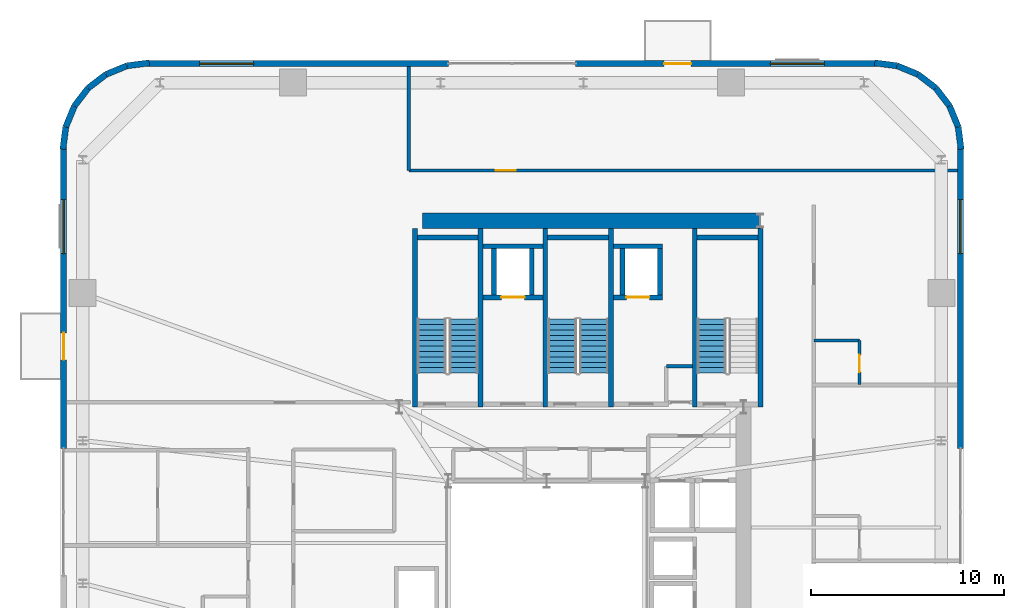
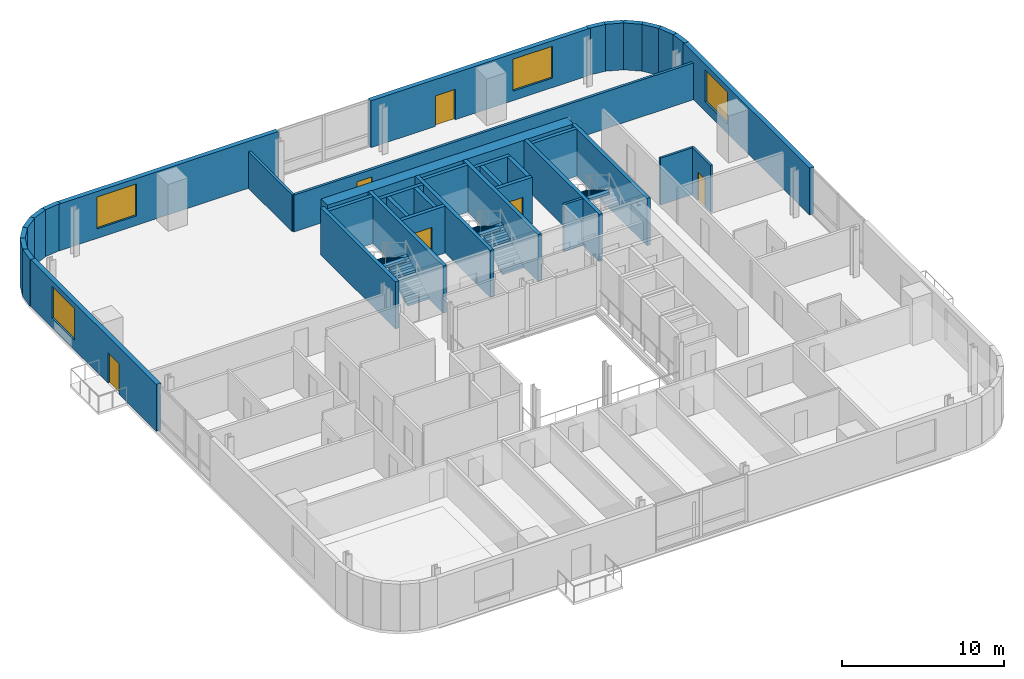
# One storey, part 11 of 17: 39 walls, 6 doors, 5 stair flights, 4 windows, 10 openings, 3 elements without a shape of their own.
"""IFC4 building model written with IfcOpenShell, lengths in metres."""

from ifc_helpers import new_model, si_unit, direction, frame, frame_2d, origin, place, context, subcontext, project, spatial, polyline, rectangle, outline, extrude, source, transform, mapped, material, layer, layer_set, type_object, element, fill, aggregate, save


model = new_model("IFC4")

# Units and contexts
model_context = context("Model", 3, precision=1e-05, world=origin(), true_north=direction((0.0, 1.0)))
body_context = subcontext(model_context, "Body", "Model", "MODEL_VIEW")
ifc_project = project(units=[si_unit("LENGTHUNIT", "METRE"), si_unit("AREAUNIT", "SQUARE_METRE"), si_unit("VOLUMEUNIT", "CUBIC_METRE"), si_unit("PLANEANGLEUNIT", "RADIAN"), si_unit("MASSUNIT", "GRAM", prefix="KILO")], contexts=[model_context])

# Site, building, storey
site_placement = place(None, origin())
site = spatial("IfcSite", under=ifc_project, at=site_placement, CompositionType="ELEMENT")
building_placement = place(site_placement, origin())
building = spatial("IfcBuilding", under=site, at=building_placement, Name="Vardaveli Station Tower", CompositionType="ELEMENT")
storey_placement = place(building_placement, frame((0.0, 0.0, 218.550048828125)))
storey = spatial("IfcBuildingStorey", under=building, at=storey_placement, Name="L56", CompositionType="ELEMENT", Elevation=218.550048828125)

# Wall
ifc_material_1 = material(Name="Concrete C50/60", Category="concrete")
ifc_layer_1 = layer(ifc_material_1, 0.800048828125, Name="Concrete C50/60")
ifc_layer_set_1 = layer_set([ifc_layer_1], Name="Concrete C50/60")
wall_type_1 = type_object("IfcWallType", Name="WAL-CORE-800", PredefinedType="SHEAR", material=ifc_layer_set_1)
shared_shape_1 = source(origin(), body_context, "Body", "SweptSolid", [
    extrude(rectangle(XDim=17.52001953125, YDim=0.800048828125, at=frame_2d((8.760009765625, 0.0))), origin(), (0.0, 0.0, 1.0), 3.530029296875),
])
wall_1_placement = place(storey_placement, frame((29.85009765625, 40.300048828125, 0.0), z_axis=(0.0, 0.0, 1.0), x_axis=(1.0, 0.0, 0.0)))
element("IfcWall", 1, at=wall_1_placement, inside=storey, type_object=wall_type_1, Name="SW-L56-NORTH", PredefinedType="SHEAR", context=body_context, shape_type="MappedRepresentation", body=[
    mapped(shared_shape_1, transform((0.0, 0.0, 0.0), scale=1.0)),
])

# Wall, openings, door, window
ifc_material_2 = material(Name="Precast concrete C45/55", Category="concrete")
ifc_layer_2 = layer(ifc_material_2, 0.320068359375, Name="Precast concrete C45/55")
ifc_layer_set_2 = layer_set([ifc_layer_2], Name="Precast concrete C45/55")
wall_type_2 = type_object("IfcWallType", Name="WAL-EXT-STONE-320", PredefinedType="SOLIDWALL", material=ifc_layer_set_2)
shared_shape_2 = source(origin(), body_context, "Body", "SweptSolid", [
    extrude(rectangle(XDim=15.599853515625, YDim=0.320068359375, at=frame_2d((7.7998046875, 0.0))), origin(), (0.0, 0.0, 1.0), 3.530029296875),
])
wall_2_placement = place(storey_placement, frame((53.39990234375, 48.43994140625, 0.0), z_axis=(0.0, 0.0, 1.0), x_axis=(-1.0, 0.0, 0.0)))
wall_2 = element("IfcWall", 2, at=wall_2_placement, inside=storey, type_object=wall_type_2, Name="EW-L56-N1", PredefinedType="SOLIDWALL", context=body_context, shape_type="MappedRepresentation", body=[
    mapped(shared_shape_2, transform((0.0, 0.0, 0.0), scale=1.0)),
])
shared_shape_3 = source(origin(), body_context, "Body", "SweptSolid", [
    extrude(rectangle(XDim=1.39990234375, YDim=2.300048828125, at=frame_2d((0.699951171875, 1.14990234375))), frame((0.0, 0.169921875, 0.0), z_axis=(0.0, -1.0, 0.0), x_axis=(1.0, 0.0, 0.0)), (0.0, 0.0, 1.0), 0.340087890625),
])
opening_1_placement = place(wall_2_placement, frame((9.6103515625, 0.0, 0.0)))
opening_1 = element("IfcOpeningElement", 3, at=opening_1_placement, cuts=wall_2, Name="Opening D-09", PredefinedType="OPENING", context=body_context, shape_type="MappedRepresentation", body=[
    mapped(shared_shape_3, transform((0.0, 0.0, 0.0), scale=1.0)),
])
shared_shape_4 = source(origin(), body_context, "Body", "SweptSolid", [
    extrude(rectangle(XDim=2.800048828125, YDim=2.39990234375, at=frame_2d((1.39990234375, 1.199951171875))), frame((0.0, 0.169921875, 0.0), z_axis=(0.0, -1.0, 0.0), x_axis=(1.0, 0.0, 0.0)), (0.0, 0.0, 1.0), 0.340087890625),
])
opening_2_placement = place(wall_2_placement, frame((2.705078125, 0.0, 0.719970703125)))
opening_2 = element("IfcOpeningElement", 4, at=opening_2_placement, cuts=wall_2, Name="Opening W-04", PredefinedType="OPENING", context=body_context, shape_type="MappedRepresentation", body=[
    mapped(shared_shape_4, transform((0.0, 0.0, 0.0), scale=1.0)),
])
ifc_material_3 = material(Name="Thermally broken aluminium glass", Category="aluminium")
door_type_1 = type_object("IfcDoorType", Name="DR-LOG-1400x2300", OperationType="DOUBLE_DOOR_SLIDING", PredefinedType="DOOR", material=ifc_material_3)
shared_shape_5 = source(origin(), body_context, "Body", "SweptSolid", [
    extrude(rectangle(XDim=1.39990234375, YDim=2.300048828125, at=frame_2d((0.699951171875, 1.14990234375))), frame((0.0, 0.02490234375, 0.0), z_axis=(0.0, -1.0, 0.0), x_axis=(1.0, 0.0, 0.0)), (0.0, 0.0, 1.0), 0.050048828125),
])
door_1_placement = place(opening_1_placement, frame((1.39990234375, 0.0, 0.0), z_axis=(0.0, 0.0, 1.0), x_axis=(-1.0, 0.0, 0.0)))
door_1 = element("IfcDoor", 5, at=door_1_placement, inside=storey, type_object=door_type_1, Name="DLG-L56-N", OperationType="DOUBLE_DOOR_SLIDING", OverallHeight=2.300048828125, OverallWidth=1.39990234375, PredefinedType="DOOR", context=body_context, shape_type="MappedRepresentation", body=[
    mapped(shared_shape_5, transform((0.0, 0.0, 0.0), scale=1.0)),
])
fill(opening_1, door_1)
ifc_material_4 = material(Name="Low-E solar-control glass", Category="glass")
window_type = type_object("IfcWindowType", Name="WIN-SUITE-2800x2400", PartitioningType="SINGLE_PANEL", PredefinedType="WINDOW", material=ifc_material_4)
shared_shape_6 = source(origin(), body_context, "Body", "SweptSolid", [
    extrude(rectangle(XDim=2.800048828125, YDim=2.39990234375, at=frame_2d((1.39990234375, 1.199951171875))), frame((0.0, 0.030029296875, 0.0), z_axis=(0.0, -1.0, 0.0), x_axis=(1.0, 0.0, 0.0)), (0.0, 0.0, 1.0), 0.06005859375),
])
window_1_placement = place(opening_2_placement, origin())
window_1 = element("IfcWindow", 6, at=window_1_placement, inside=storey, type_object=window_type, Name="WN-L56-N1", OverallHeight=2.39990234375, OverallWidth=2.800048828125, PartitioningType="SINGLE_PANEL", PredefinedType="WINDOW", context=body_context, shape_type="MappedRepresentation", body=[
    mapped(shared_shape_6, transform((0.0, 0.0, 0.0), scale=1.0)),
])
fill(opening_2, window_1)

# Wall, opening, window
wall_3_placement = place(storey_placement, frame((31.199951171875, 48.43994140625, 0.0), z_axis=(0.0, 0.0, 1.0), x_axis=(-1.0, 0.0, 0.0)))
wall_3 = element("IfcWall", 7, at=wall_3_placement, inside=storey, type_object=wall_type_2, Name="EW-L56-N2", PredefinedType="SOLIDWALL", context=body_context, shape_type="MappedRepresentation", body=[
    mapped(shared_shape_2, transform((0.0, 0.0, 0.0), scale=1.0)),
])
opening_3_placement = place(wall_3_placement, frame((10.094970703125, 0.0, 0.719970703125)))
opening_3 = element("IfcOpeningElement", 8, at=opening_3_placement, cuts=wall_3, Name="Opening W-04", PredefinedType="OPENING", context=body_context, shape_type="MappedRepresentation", body=[
    mapped(shared_shape_4, transform((0.0, 0.0, 0.0), scale=1.0)),
])
window_2_placement = place(opening_3_placement, origin())
window_2 = element("IfcWindow", 9, at=window_2_placement, inside=storey, type_object=window_type, Name="WN-L56-N2", OverallHeight=2.39990234375, OverallWidth=2.800048828125, PartitioningType="SINGLE_PANEL", PredefinedType="WINDOW", context=body_context, shape_type="MappedRepresentation", body=[
    mapped(shared_shape_6, transform((0.0, 0.0, 0.0), scale=1.0)),
])
fill(opening_3, window_2)

# Wall, openings, door, window
shared_shape_7 = source(origin(), body_context, "Body", "SweptSolid", [
    extrude(rectangle(XDim=15.60009765625, YDim=0.320068359375, at=frame_2d((7.800048828125, 0.0))), origin(), (0.0, 0.0, 1.0), 3.530029296875),
])
wall_4_placement = place(storey_placement, frame((11.260009765625, 44.10009765625, 0.0), z_axis=(0.0, 0.0, 1.0), x_axis=(0.0, -1.0, 0.0)))
wall_4 = element("IfcWall", 10, at=wall_4_placement, inside=storey, type_object=wall_type_2, Name="EW-L56-W1", PredefinedType="SOLIDWALL", context=body_context, shape_type="MappedRepresentation", body=[
    mapped(shared_shape_7, transform((0.0, 0.0, 0.0), scale=1.0)),
])
opening_4_placement = place(wall_4_placement, frame((9.6103515625, 0.0, 0.0)))
opening_4 = element("IfcOpeningElement", 11, at=opening_4_placement, cuts=wall_4, Name="Opening D-09", PredefinedType="OPENING", context=body_context, shape_type="MappedRepresentation", body=[
    mapped(shared_shape_3, transform((0.0, 0.0, 0.0), scale=1.0)),
])
opening_5_placement = place(wall_4_placement, frame((2.705078125, 0.0, 0.719970703125)))
opening_5 = element("IfcOpeningElement", 12, at=opening_5_placement, cuts=wall_4, Name="Opening W-04", PredefinedType="OPENING", context=body_context, shape_type="MappedRepresentation", body=[
    mapped(shared_shape_4, transform((0.0, 0.0, 0.0), scale=1.0)),
])
door_2_placement = place(opening_4_placement, frame((1.39990234375, 0.0, 0.0), z_axis=(0.0, 0.0, 1.0), x_axis=(-1.0, 0.0, 0.0)))
door_2 = element("IfcDoor", 13, at=door_2_placement, inside=storey, type_object=door_type_1, Name="DLG-L56-W", OperationType="DOUBLE_DOOR_SLIDING", OverallHeight=2.300048828125, OverallWidth=1.39990234375, PredefinedType="DOOR", context=body_context, shape_type="MappedRepresentation", body=[
    mapped(shared_shape_5, transform((0.0, 0.0, 0.0), scale=1.0)),
])
fill(opening_4, door_2)
window_3_placement = place(opening_5_placement, origin())
window_3 = element("IfcWindow", 14, at=window_3_placement, inside=storey, type_object=window_type, Name="WN-L56-W1", OverallHeight=2.39990234375, OverallWidth=2.800048828125, PartitioningType="SINGLE_PANEL", PredefinedType="WINDOW", context=body_context, shape_type="MappedRepresentation", body=[
    mapped(shared_shape_6, transform((0.0, 0.0, 0.0), scale=1.0)),
])
fill(opening_5, window_3)

# Wall, opening, window
wall_5_placement = place(storey_placement, frame((57.739990234375, 28.5, 0.0), z_axis=(0.0, 0.0, 1.0), x_axis=(0.0, 1.0, 0.0)))
wall_5 = element("IfcWall", 15, at=wall_5_placement, inside=storey, type_object=wall_type_2, Name="EW-L56-E2", PredefinedType="SOLIDWALL", context=body_context, shape_type="MappedRepresentation", body=[
    mapped(shared_shape_7, transform((0.0, 0.0, 0.0), scale=1.0)),
])
opening_6_placement = place(wall_5_placement, frame((10.094970703125, 0.0, 0.719970703125)))
opening_6 = element("IfcOpeningElement", 16, at=opening_6_placement, cuts=wall_5, Name="Opening W-04", PredefinedType="OPENING", context=body_context, shape_type="MappedRepresentation", body=[
    mapped(shared_shape_4, transform((0.0, 0.0, 0.0), scale=1.0)),
])
window_4_placement = place(opening_6_placement, origin())
window_4 = element("IfcWindow", 17, at=window_4_placement, inside=storey, type_object=window_type, Name="WN-L56-E2", OverallHeight=2.39990234375, OverallWidth=2.800048828125, PartitioningType="SINGLE_PANEL", PredefinedType="WINDOW", context=body_context, shape_type="MappedRepresentation", body=[
    mapped(shared_shape_6, transform((0.0, 0.0, 0.0), scale=1.0)),
])
fill(opening_6, window_4)

# Walls
shared_shape_8 = source(origin(), body_context, "Body", "SweptSolid", [
    extrude(rectangle(XDim=1.1689453125, YDim=0.320068359375, at=frame_2d((0.58447265625, 0.0))), origin(), (0.0, 0.0, 1.0), 3.530029296875),
])
for number, where, z_axis, x_axis, name in (
    (18, (57.179931640625, 46.2412109375, 0.0), (0.0, 0.0, 1.0), (-0.608387696831, 0.793639975269, 0.0), "EW-L56-CR3-3"),
    (19, (12.53125, 47.1689453125, 0.0), (0.0, 0.0, 1.0), (-0.608387696831, -0.793639975269, 0.0), "EW-L56-CR4-4"),
):
    element("IfcWall", number, at=place(storey_placement, frame(where, z_axis=z_axis, x_axis=x_axis)), inside=storey, type_object=wall_type_2, Name=name, PredefinedType="SOLIDWALL", context=body_context, shape_type="MappedRepresentation", body=[
        mapped(shared_shape_8, transform((0.0, 0.0, 0.0), scale=1.0)),
    ])
shared_shape_9 = source(origin(), body_context, "Body", "SweptSolid", [
    extrude(rectangle(XDim=1.168701171875, YDim=0.320068359375, at=frame_2d((0.58447265625, 0.0))), origin(), (0.0, 0.0, 1.0), 3.530029296875),
])
for number, where, z_axis, x_axis, name in (
    (20, (56.46875, 47.1689453125, 0.0), (0.0, 0.0, 1.0), (-0.793663520347, 0.608356981114, 0.0), "EW-L56-CR3-4"),
    (21, (13.458740234375, 47.8798828125, 0.0), (0.0, 0.0, 1.0), (-0.793663520347, -0.608356981114, 0.0), "EW-L56-CR4-3"),
):
    element("IfcWall", number, at=place(storey_placement, frame(where, z_axis=z_axis, x_axis=x_axis)), inside=storey, type_object=wall_type_2, Name=name, PredefinedType="SOLIDWALL", context=body_context, shape_type="MappedRepresentation", body=[
        mapped(shared_shape_9, transform((0.0, 0.0, 0.0), scale=1.0)),
    ])
shared_shape_10 = source(origin(), body_context, "Body", "SweptSolid", [
    extrude(rectangle(XDim=1.17041015625, YDim=0.320068359375, at=frame_2d((0.585205078125, 0.0))), origin(), (0.0, 0.0, 1.0), 3.530029296875),
])
for number, where, z_axis, x_axis, name in (
    (22, (57.775634765625, 43.99951171875, 0.0), (0.0, 0.0, 1.0), (-0.128295670475, 0.991735963317, 0.0), "EW-L56-CR3-1"),
    (23, (54.460205078125, 48.325439453125, 0.0), (0.0, 0.0, 1.0), (-0.991735963317, 0.128295670475, 0.0), "EW-L56-CR3-6"),
    (24, (15.700439453125, 48.4755859375, 0.0), (0.0, 0.0, 1.0), (-0.991735963317, -0.128295670475, 0.0), "EW-L56-CR4-1"),
    (25, (11.37451171875, 45.16015625, 0.0), (0.0, 0.0, 1.0), (-0.128295670475, -0.991735963317, 0.0), "EW-L56-CR4-6"),
):
    element("IfcWall", number, at=place(storey_placement, frame(where, z_axis=z_axis, x_axis=x_axis)), inside=storey, type_object=wall_type_2, Name=name, PredefinedType="SOLIDWALL", context=body_context, shape_type="MappedRepresentation", body=[
        mapped(shared_shape_10, transform((0.0, 0.0, 0.0), scale=1.0)),
    ])
shared_shape_11 = source(origin(), body_context, "Body", "SweptSolid", [
    extrude(rectangle(XDim=1.169189453125, YDim=0.320068359375, at=frame_2d((0.58447265625, 0.0))), origin(), (0.0, 0.0, 1.0), 3.530029296875),
])
for number, where, z_axis, x_axis, name in (
    (26, (57.62548828125, 45.16015625, 0.0), (0.0, 0.0, 1.0), (-0.381054331552, 0.924552646638, 0.0), "EW-L56-CR3-2"),
    (27, (55.541259765625, 47.8798828125, 0.0), (0.0, 0.0, 1.0), (-0.924552646638, 0.381054331552, 0.0), "EW-L56-CR3-5"),
    (28, (14.539794921875, 48.325439453125, 0.0), (0.0, 0.0, 1.0), (-0.924552646638, -0.381054331552, 0.0), "EW-L56-CR4-2"),
    (29, (11.820068359375, 46.2412109375, 0.0), (0.0, 0.0, 1.0), (-0.381054331552, -0.924552646638, 0.0), "EW-L56-CR4-5"),
):
    element("IfcWall", number, at=place(storey_placement, frame(where, z_axis=z_axis, x_axis=x_axis)), inside=storey, type_object=wall_type_2, Name=name, PredefinedType="SOLIDWALL", context=body_context, shape_type="MappedRepresentation", body=[
        mapped(shared_shape_11, transform((0.0, 0.0, 0.0), scale=1.0)),
    ])
ifc_material_5 = material(Name="Concrete C40/50", Category="concrete")
ifc_layer_3 = layer(ifc_material_5, 0.25, Name="Concrete C40/50")
ifc_layer_set_3 = layer_set([ifc_layer_3], Name="Concrete C40/50")
wall_type_3 = type_object("IfcWallType", Name="WAL-SHAFT-250", PredefinedType="SOLIDWALL", material=ifc_layer_set_3)
shared_shape_12 = source(origin(), body_context, "Body", "SweptSolid", [
    extrude(rectangle(XDim=9.25, YDim=0.25, at=frame_2d((4.625, 0.0))), origin(), (0.0, 0.0, 1.0), 3.550048828125),
])
for number, where, z_axis, x_axis, name in (
    (30, (29.47509765625, 30.64990234375, 0.0), (0.0, 0.0, 1.0), (0.0, 1.0, 0.0), "W-L56-ST-1W"),
    (31, (32.875, 30.64990234375, 0.0), (0.0, 0.0, 1.0), (0.0, 1.0, 0.0), "W-L56-ST-1E"),
    (32, (36.22509765625, 30.64990234375, 0.0), (0.0, 0.0, 1.0), (0.0, 1.0, 0.0), "W-L56-ST-2W"),
    (33, (39.625, 30.64990234375, 0.0), (0.0, 0.0, 1.0), (0.0, 1.0, 0.0), "W-L56-ST-2E"),
    (34, (43.97509765625, 30.64990234375, 0.0), (0.0, 0.0, 1.0), (0.0, 1.0, 0.0), "W-L56-ST-3W"),
    (35, (47.375, 30.64990234375, 0.0), (0.0, 0.0, 1.0), (0.0, 1.0, 0.0), "W-L56-ST-3E"),
):
    element("IfcWall", number, at=place(storey_placement, frame(where, z_axis=z_axis, x_axis=x_axis)), inside=storey, type_object=wall_type_3, Name=name, PredefinedType="SOLIDWALL", context=body_context, shape_type="MappedRepresentation", body=[
        mapped(shared_shape_12, transform((0.0, 0.0, 0.0), scale=1.0)),
    ])
shared_shape_13 = source(origin(), body_context, "Body", "SweptSolid", [
    extrude(rectangle(XDim=3.14990234375, YDim=0.25, at=frame_2d((1.574951171875, 0.0))), origin(), (0.0, 0.0, 1.0), 3.550048828125),
])
for number, where, z_axis, x_axis, name in (
    (36, (29.60009765625, 39.425048828125, 0.0), (0.0, 0.0, 1.0), (1.0, 0.0, 0.0), "W-L56-ST-1N"),
    (37, (36.35009765625, 39.425048828125, 0.0), (0.0, 0.0, 1.0), (1.0, 0.0, 0.0), "W-L56-ST-2N"),
    (38, (44.10009765625, 39.425048828125, 0.0), (0.0, 0.0, 1.0), (1.0, 0.0, 0.0), "W-L56-ST-3N"),
):
    element("IfcWall", number, at=place(storey_placement, frame(where, z_axis=z_axis, x_axis=x_axis)), inside=storey, type_object=wall_type_3, Name=name, PredefinedType="SOLIDWALL", context=body_context, shape_type="MappedRepresentation", body=[
        mapped(shared_shape_13, transform((0.0, 0.0, 0.0), scale=1.0)),
    ])

# Wall, opening, door
shared_shape_14 = source(origin(), body_context, "Body", "SweptSolid", [
    extrude(rectangle(XDim=3.10009765625, YDim=0.25, at=frame_2d((1.550048828125, 0.0))), origin(), (0.0, 0.0, 1.0), 3.530029296875),
])
wall_6_placement = place(storey_placement, frame((33.0, 36.324951171875, 0.0), z_axis=(0.0, 0.0, 1.0), x_axis=(1.0, 0.0, 0.0)))
wall_6 = element("IfcWall", 39, at=wall_6_placement, inside=storey, type_object=wall_type_3, Name="SHW-FFL-01-L56-S", PredefinedType="SOLIDWALL", context=body_context, shape_type="MappedRepresentation", body=[
    mapped(shared_shape_14, transform((0.0, 0.0, 0.0), scale=1.0)),
])
shared_shape_15 = source(origin(), body_context, "Body", "SweptSolid", [
    extrude(rectangle(XDim=1.199951171875, YDim=2.25, at=frame_2d((0.60009765625, 1.125))), frame((0.0, 0.135009765625, 0.0), z_axis=(0.0, -1.0, 0.0), x_axis=(1.0, 0.0, 0.0)), (0.0, 0.0, 1.0), 0.27001953125),
])
opening_7_placement = place(wall_6_placement, frame((0.949951171875, 0.0, 0.0)))
opening_7 = element("IfcOpeningElement", 40, at=opening_7_placement, cuts=wall_6, Name="Opening LD-02", PredefinedType="OPENING", context=body_context, shape_type="MappedRepresentation", body=[
    mapped(shared_shape_15, transform((0.0, 0.0, 0.0), scale=1.0)),
])
ifc_material_6 = material(Name="Brushed stainless steel", Category="steel")
door_type_2 = type_object("IfcDoorType", Name="DR-LD-1200x2250", OperationType="DOUBLE_DOOR_SLIDING", PredefinedType="DOOR", material=ifc_material_6)
shared_shape_16 = source(origin(), body_context, "Body", "SweptSolid", [
    extrude(rectangle(XDim=1.199951171875, YDim=2.25, at=frame_2d((0.60009765625, 1.125))), frame((0.0, 0.02490234375, 0.0), z_axis=(0.0, -1.0, 0.0), x_axis=(1.0, 0.0, 0.0)), (0.0, 0.0, 1.0), 0.050048828125),
])
door_3_placement = place(opening_7_placement, origin())
door_3 = element("IfcDoor", 41, at=door_3_placement, inside=storey, type_object=door_type_2, Name="LD-FFL-01-L56", OperationType="DOUBLE_DOOR_SLIDING", OverallHeight=2.25, OverallWidth=1.199951171875, PredefinedType="DOOR", context=body_context, shape_type="MappedRepresentation", body=[
    mapped(shared_shape_16, transform((0.0, 0.0, 0.0), scale=1.0)),
])
fill(opening_7, door_3)

# Walls
wall_7_placement = place(storey_placement, frame((33.0, 38.97509765625, 0.0), z_axis=(0.0, 0.0, 1.0), x_axis=(1.0, 0.0, 0.0)))
element("IfcWall", 42, at=wall_7_placement, inside=storey, type_object=wall_type_3, Name="SHW-FFL-01-L56-N", PredefinedType="SOLIDWALL", context=body_context, shape_type="MappedRepresentation", body=[
    mapped(shared_shape_14, transform((0.0, 0.0, 0.0), scale=1.0)),
])
shared_shape_17 = source(origin(), body_context, "Body", "SweptSolid", [
    extrude(rectangle(XDim=2.400146484375, YDim=0.25, at=frame_2d((1.2001953125, 0.0))), origin(), (0.0, 0.0, 1.0), 3.530029296875),
])
for number, where, z_axis, x_axis, name in (
    (43, (33.574951171875, 36.449951171875, 0.0), (0.0, 0.0, 1.0), (0.0, 1.0, 0.0), "SHW-FFL-01-L56-W"),
    (44, (35.52490234375, 36.449951171875, 0.0), (0.0, 0.0, 1.0), (0.0, 1.0, 0.0), "SHW-FFL-01-L56-E"),
    (45, (40.22509765625, 36.449951171875, 0.0), (0.0, 0.0, 1.0), (0.0, 1.0, 0.0), "SHW-FFL-02-L56-W"),
    (46, (42.175048828125, 36.449951171875, 0.0), (0.0, 0.0, 1.0), (0.0, 1.0, 0.0), "SHW-FFL-02-L56-E"),
):
    element("IfcWall", number, at=place(storey_placement, frame(where, z_axis=z_axis, x_axis=x_axis)), inside=storey, type_object=wall_type_3, Name=name, PredefinedType="SOLIDWALL", context=body_context, shape_type="MappedRepresentation", body=[
        mapped(shared_shape_17, transform((0.0, 0.0, 0.0), scale=1.0)),
    ])

# Wall, opening, door
shared_shape_18 = source(origin(), body_context, "Body", "SweptSolid", [
    extrude(rectangle(XDim=2.550048828125, YDim=0.25, at=frame_2d((1.27490234375, 0.0))), origin(), (0.0, 0.0, 1.0), 3.530029296875),
])
wall_8_placement = place(storey_placement, frame((39.75, 36.324951171875, 0.0), z_axis=(0.0, 0.0, 1.0), x_axis=(1.0, 0.0, 0.0)))
wall_8 = element("IfcWall", 47, at=wall_8_placement, inside=storey, type_object=wall_type_3, Name="SHW-FFL-02-L56-S", PredefinedType="SOLIDWALL", context=body_context, shape_type="MappedRepresentation", body=[
    mapped(shared_shape_18, transform((0.0, 0.0, 0.0), scale=1.0)),
])
opening_8_placement = place(wall_8_placement, frame((0.675048828125, 0.0, 0.0)))
opening_8 = element("IfcOpeningElement", 48, at=opening_8_placement, cuts=wall_8, Name="Opening LD-02", PredefinedType="OPENING", context=body_context, shape_type="MappedRepresentation", body=[
    mapped(shared_shape_15, transform((0.0, 0.0, 0.0), scale=1.0)),
])
door_4_placement = place(opening_8_placement, origin())
door_4 = element("IfcDoor", 49, at=door_4_placement, inside=storey, type_object=door_type_2, Name="LD-FFL-02-L56", OperationType="DOUBLE_DOOR_SLIDING", OverallHeight=2.25, OverallWidth=1.199951171875, PredefinedType="DOOR", context=body_context, shape_type="MappedRepresentation", body=[
    mapped(shared_shape_16, transform((0.0, 0.0, 0.0), scale=1.0)),
])
fill(opening_8, door_4)

# Wall
wall_9_placement = place(storey_placement, frame((39.75, 38.97509765625, 0.0), z_axis=(0.0, 0.0, 1.0), x_axis=(1.0, 0.0, 0.0)))
element("IfcWall", 50, at=wall_9_placement, inside=storey, type_object=wall_type_3, Name="SHW-FFL-02-L56-N", PredefinedType="SOLIDWALL", context=body_context, shape_type="MappedRepresentation", body=[
    mapped(shared_shape_18, transform((0.0, 0.0, 0.0), scale=1.0)),
])

# Wall, opening, door
ifc_material_7 = material(Name="Fire-rated gypsum stud partition")
ifc_layer_4 = layer(ifc_material_7, 0.179931640625, Name="Fire-rated gypsum stud partition")
ifc_layer_set_4 = layer_set([ifc_layer_4], Name="Fire-rated gypsum stud partition")
wall_type_4 = type_object("IfcWallType", Name="WAL-CORR-180", PredefinedType="PARTITIONING", material=ifc_layer_set_4)
shared_shape_19 = source(origin(), body_context, "Body", "SweptSolid", [
    extrude(rectangle(XDim=28.427978515625, YDim=0.179931640625, at=frame_2d((14.2138671875, 0.0))), origin(), (0.0, 0.0, 1.0), 2.77197265625),
])
wall_10_placement = place(storey_placement, frame((29.14990234375, 42.89990234375, 0.0), z_axis=(0.0, 0.0, 1.0), x_axis=(1.0, 0.0, 0.0)))
wall_10 = element("IfcWall", 51, at=wall_10_placement, inside=storey, type_object=wall_type_4, Name="W-L56-NPS", PredefinedType="PARTITIONING", context=body_context, shape_type="MappedRepresentation", body=[
    mapped(shared_shape_19, transform((0.0, 0.0, 0.0), scale=1.0)),
])
shared_shape_20 = source(origin(), body_context, "Body", "SweptSolid", [
    extrude(rectangle(XDim=1.050048828125, YDim=2.199951171875, at=frame_2d((0.52490234375, 1.10009765625))), frame((0.0, 0.10009765625, 0.0), z_axis=(0.0, -1.0, 0.0), x_axis=(1.0, 0.0, 0.0)), (0.0, 0.0, 1.0), 0.199951171875),
])
opening_9_placement = place(wall_10_placement, frame((4.5, 0.0, 0.0)))
opening_9 = element("IfcOpeningElement", 52, at=opening_9_placement, cuts=wall_10, Name="Opening D-05", PredefinedType="OPENING", context=body_context, shape_type="MappedRepresentation", body=[
    mapped(shared_shape_20, transform((0.0, 0.0, 0.0), scale=1.0)),
])
ifc_material_8 = material(Name="Walnut veneer acoustic fire door")
door_type_3 = type_object("IfcDoorType", Name="DR-SUITE-1050x2200", OperationType="NOTDEFINED", PredefinedType="DOOR", material=ifc_material_8)
shared_shape_21 = source(origin(), body_context, "Body", "SweptSolid", [
    extrude(rectangle(XDim=1.050048828125, YDim=2.199951171875, at=frame_2d((0.52490234375, 1.10009765625))), frame((0.0, 0.02490234375, 0.0), z_axis=(0.0, -1.0, 0.0), x_axis=(1.0, 0.0, 0.0)), (0.0, 0.0, 1.0), 0.050048828125),
])
door_5_placement = place(opening_9_placement, origin())
door_5 = element("IfcDoor", 53, at=door_5_placement, inside=storey, type_object=door_type_3, Name="D-L56-NP1", OperationType="SINGLE_SWING_RIGHT", OverallHeight=2.199951171875, OverallWidth=1.050048828125, PredefinedType="DOOR", context=body_context, shape_type="MappedRepresentation", body=[
    mapped(shared_shape_21, transform((0.0, 0.0, 0.0), scale=1.0)),
])
fill(opening_9, door_5)

ifc_material_9 = material(Name="Moisture-resistant stud partition")
ifc_layer_5 = layer(ifc_material_9, 0.14990234375, Name="Moisture-resistant stud partition")
ifc_layer_set_5 = layer_set([ifc_layer_5], Name="Moisture-resistant stud partition")
wall_type_5 = type_object("IfcWallType", Name="WAL-WET-150", PredefinedType="PARTITIONING", material=ifc_layer_set_5)
shared_shape_22 = source(origin(), body_context, "Body", "SweptSolid", [
    extrude(rectangle(XDim=2.289794921875, YDim=0.14990234375, at=frame_2d((1.14501953125, 0.0))), origin(), (0.0, 0.0, 1.0), 3.530029296875),
])
wall_11_placement = place(storey_placement, frame((52.510009765625, 31.797119140625, 0.0), z_axis=(0.0, 0.0, 1.0), x_axis=(0.0, 1.0, 0.0)))
wall_11 = element("IfcWall", 54, at=wall_11_placement, inside=storey, type_object=wall_type_5, Name="W-L56-BE3-E", PredefinedType="PARTITIONING", context=body_context, shape_type="MappedRepresentation", body=[
    mapped(shared_shape_22, transform((0.0, 0.0, 0.0), scale=1.0)),
])
shared_shape_23 = source(origin(), body_context, "Body", "SweptSolid", [
    extrude(rectangle(XDim=0.89990234375, YDim=2.10009765625, at=frame_2d((0.449951171875, 1.050048828125))), frame((0.0, 0.0849609375, 0.0), z_axis=(0.0, -1.0, 0.0), x_axis=(1.0, 0.0, 0.0)), (0.0, 0.0, 1.0), 0.169921875),
])
opening_10_placement = place(wall_11_placement, frame((0.64990234375, 0.0, 0.0)))
opening_10 = element("IfcOpeningElement", 55, at=opening_10_placement, cuts=wall_11, Name="Opening D-08", PredefinedType="OPENING", context=body_context, shape_type="MappedRepresentation", body=[
    mapped(shared_shape_23, transform((0.0, 0.0, 0.0), scale=1.0)),
])
ifc_material_10 = material(Name="Moisture-resistant oak door")
door_type_4 = type_object("IfcDoorType", Name="DR-BATH-900x2100", OperationType="NOTDEFINED", PredefinedType="DOOR", material=ifc_material_10)
shared_shape_24 = source(origin(), body_context, "Body", "SweptSolid", [
    extrude(rectangle(XDim=0.89990234375, YDim=2.10009765625, at=frame_2d((0.449951171875, 1.050048828125))), frame((0.0, 0.02490234375, 0.0), z_axis=(0.0, -1.0, 0.0), x_axis=(1.0, 0.0, 0.0)), (0.0, 0.0, 1.0), 0.050048828125),
])
door_6_placement = place(opening_10_placement, origin())
door_6 = element("IfcDoor", 56, at=door_6_placement, inside=storey, type_object=door_type_4, Name="D-L56-BE3", OperationType="SINGLE_SWING_RIGHT", OverallHeight=2.10009765625, OverallWidth=0.89990234375, PredefinedType="DOOR", context=body_context, shape_type="MappedRepresentation", body=[
    mapped(shared_shape_24, transform((0.0, 0.0, 0.0), scale=1.0)),
])
fill(opening_10, door_6)

# Walls
shared_shape_25 = source(origin(), body_context, "Body", "SweptSolid", [
    extrude(rectangle(XDim=5.378173828125, YDim=0.179931640625, at=frame_2d((2.68896484375, 0.0))), origin(), (0.0, 0.0, 1.0), 2.77197265625),
])
wall_12_placement = place(storey_placement, frame((29.14990234375, 42.89990234375, 0.0), z_axis=(0.0, 0.0, 1.0), x_axis=(0.0, 1.0, 0.0)))
element("IfcWall", 57, at=wall_12_placement, inside=storey, type_object=wall_type_4, Name="W-L56-NPW", PredefinedType="PARTITIONING", context=body_context, shape_type="MappedRepresentation", body=[
    mapped(shared_shape_25, transform((0.0, 0.0, 0.0), scale=1.0)),
])
shared_shape_26 = source(origin(), body_context, "Body", "SweptSolid", [
    extrude(rectangle(XDim=2.360107421875, YDim=0.14990234375, at=frame_2d((1.18017578125, 0.0))), origin(), (0.0, 0.0, 1.0), 3.530029296875),
])
wall_13_placement = place(storey_placement, frame((50.14990234375, 34.0869140625, 0.0), z_axis=(0.0, 0.0, 1.0), x_axis=(1.0, 0.0, 0.0)))
element("IfcWall", 58, at=wall_13_placement, inside=storey, type_object=wall_type_5, Name="W-L56-BE3-N", PredefinedType="PARTITIONING", context=body_context, shape_type="MappedRepresentation", body=[
    mapped(shared_shape_26, transform((0.0, 0.0, 0.0), scale=1.0)),
])
shared_shape_27 = source(origin(), body_context, "Body", "SweptSolid", [
    extrude(rectangle(XDim=1.347900390625, YDim=0.179931640625, at=frame_2d((0.673828125, 0.0))), origin(), (0.0, 0.0, 1.0), 3.530029296875),
])
wall_14_placement = place(storey_placement, frame((42.5, 32.75, 0.0), z_axis=(0.0, 0.0, 1.0), x_axis=(1.0, 0.0, 0.0)))
element("IfcWall", 59, at=wall_14_placement, inside=storey, type_object=wall_type_4, Name="W-L56-CBS2A-N", PredefinedType="PARTITIONING", context=body_context, shape_type="MappedRepresentation", body=[
    mapped(shared_shape_27, transform((0.0, 0.0, 0.0), scale=1.0)),
])

# Stair, stair flights
stair_type = type_object("IfcStairType", Name="STR-CORE-1500", PredefinedType="HALF_TURN_STAIR", material=ifc_material_5)
stair_1_placement = place(storey_placement, origin())
stair_1 = element("IfcStair", 60, at=stair_1_placement, inside=storey, type_object=stair_type, Name="L56 ST-1", PredefinedType="HALF_TURN_STAIR")
stair_flight_type = type_object("IfcStairFlightType", Name="SFL-CORE-1500", PredefinedType="STRAIGHT", material=ifc_material_5)
shared_shape_28 = source(origin(), body_context, "Body", "SweptSolid", [
    extrude(outline(polyline([(0.0, 0.0), (0.0, 0.17041015625), (0.280029296875, 0.17041015625), (0.280029296875, 0.3408203125), (0.56005859375, 0.3408203125), (0.56005859375, 0.511474609375), (0.840087890625, 0.511474609375), (0.840087890625, 0.681884765625), (1.1201171875, 0.681884765625), (1.1201171875, 0.852294921875), (1.39990234375, 0.852294921875), (1.39990234375, 1.022705078125), (1.679931640625, 1.022705078125), (1.679931640625, 1.193115234375), (1.9599609375, 1.193115234375), (1.9599609375, 1.363525390625), (2.239990234375, 1.363525390625), (2.239990234375, 1.5341796875), (2.52001953125, 1.5341796875), (2.52001953125, 1.70458984375), (2.800048828125, 1.70458984375), (2.800048828125, 1.875), (2.800048828125, 1.529052734375), (0.288330078125, 0.0), (0.0, 0.0)])), frame((0.0, 0.75, 0.0), z_axis=(0.0, -1.0, 0.0), x_axis=(1.0, 0.0, 0.0)), (0.0, 0.0, 1.0), 1.5),
])
stair_flight_1_placement = place(storey_placement, frame((32.0, 32.39990234375, 0.0), z_axis=(0.0, 0.0, 1.0), x_axis=(0.0, 1.0, 0.0)))
stair_flight_1 = element("IfcStairFlight", 61, at=stair_flight_1_placement, type_object=stair_flight_type, Name="ST-1 flight 1", NumberOfRisers=11, NumberOfTreads=10, PredefinedType="STRAIGHT", RiserHeight=0.170454545, TreadLength=0.28, context=body_context, shape_type="MappedRepresentation", body=[
    mapped(shared_shape_28, transform((0.0, 0.0, 0.0), scale=1.0)),
])
stair_flight_2_placement = place(storey_placement, frame((30.35009765625, 35.199951171875, 1.875), z_axis=(0.0, 0.0, 1.0), x_axis=(0.0, -1.0, 0.0)))
stair_flight_2 = element("IfcStairFlight", 62, at=stair_flight_2_placement, type_object=stair_flight_type, Name="ST-1 flight 2", NumberOfRisers=11, NumberOfTreads=10, PredefinedType="STRAIGHT", RiserHeight=0.170454545, TreadLength=0.28, context=body_context, shape_type="MappedRepresentation", body=[
    mapped(shared_shape_28, transform((0.0, 0.0, 0.0), scale=1.0)),
])
aggregate(stair_1, [stair_flight_1, stair_flight_2])

stair_2_placement = place(storey_placement, origin())
stair_2 = element("IfcStair", 63, at=stair_2_placement, inside=storey, type_object=stair_type, Name="L56 ST-2", PredefinedType="HALF_TURN_STAIR")
stair_flight_3_placement = place(storey_placement, frame((38.75, 32.39990234375, 0.0), z_axis=(0.0, 0.0, 1.0), x_axis=(0.0, 1.0, 0.0)))
stair_flight_3 = element("IfcStairFlight", 64, at=stair_flight_3_placement, type_object=stair_flight_type, Name="ST-2 flight 1", NumberOfRisers=11, NumberOfTreads=10, PredefinedType="STRAIGHT", RiserHeight=0.170454545, TreadLength=0.28, context=body_context, shape_type="MappedRepresentation", body=[
    mapped(shared_shape_28, transform((0.0, 0.0, 0.0), scale=1.0)),
])
stair_flight_4_placement = place(storey_placement, frame((37.10009765625, 35.199951171875, 1.875), z_axis=(0.0, 0.0, 1.0), x_axis=(0.0, -1.0, 0.0)))
stair_flight_4 = element("IfcStairFlight", 65, at=stair_flight_4_placement, type_object=stair_flight_type, Name="ST-2 flight 2", NumberOfRisers=11, NumberOfTreads=10, PredefinedType="STRAIGHT", RiserHeight=0.170454545, TreadLength=0.28, context=body_context, shape_type="MappedRepresentation", body=[
    mapped(shared_shape_28, transform((0.0, 0.0, 0.0), scale=1.0)),
])
aggregate(stair_2, [stair_flight_3, stair_flight_4])

# Stair, stair flight
stair_3_placement = place(storey_placement, origin())
stair_3 = element("IfcStair", 66, at=stair_3_placement, inside=storey, type_object=stair_type, Name="L56 ST-3", PredefinedType="HALF_TURN_STAIR")
stair_flight_5_placement = place(storey_placement, frame((44.85009765625, 35.199951171875, 1.875), z_axis=(0.0, 0.0, 1.0), x_axis=(0.0, -1.0, 0.0)))
stair_flight_5 = element("IfcStairFlight", 67, at=stair_flight_5_placement, type_object=stair_flight_type, Name="ST-3 flight 2", NumberOfRisers=11, NumberOfTreads=10, PredefinedType="STRAIGHT", RiserHeight=0.170454545, TreadLength=0.28, context=body_context, shape_type="MappedRepresentation", body=[
    mapped(shared_shape_28, transform((0.0, 0.0, 0.0), scale=1.0)),
])
aggregate(stair_3, [stair_flight_5])

save(model, "model.ifc")
